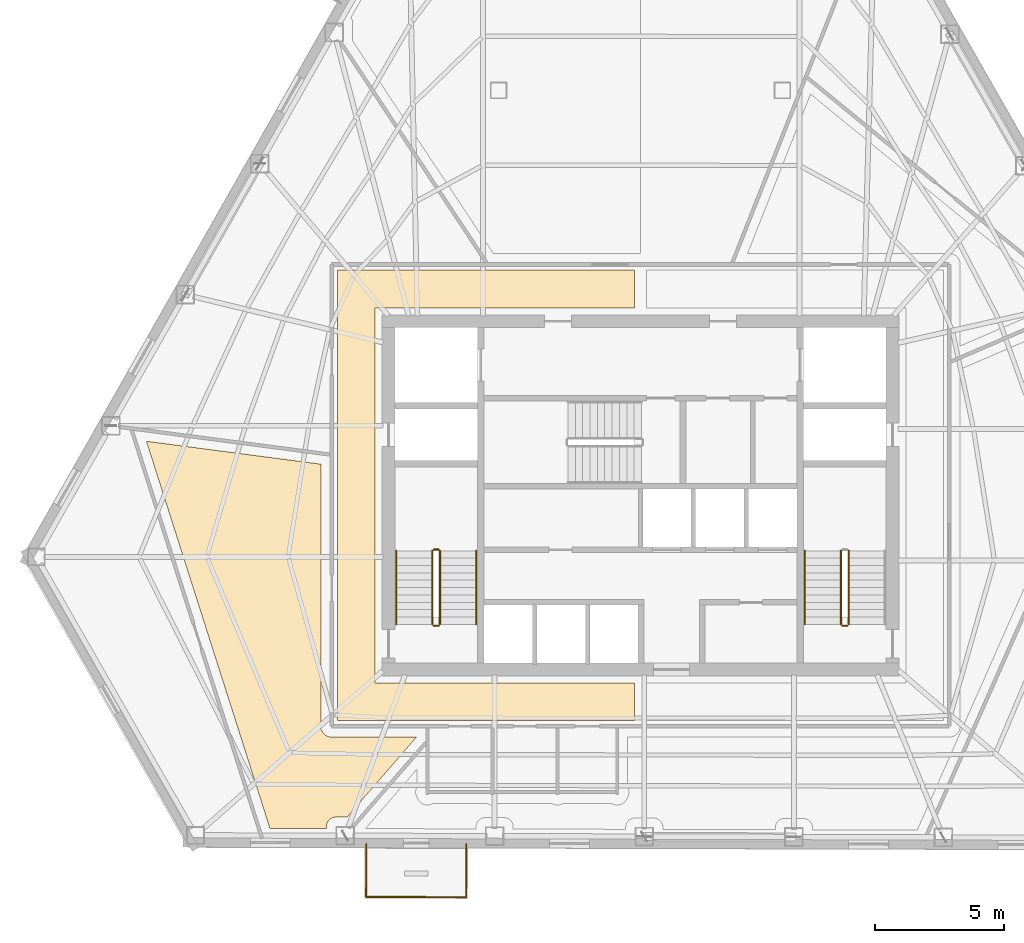
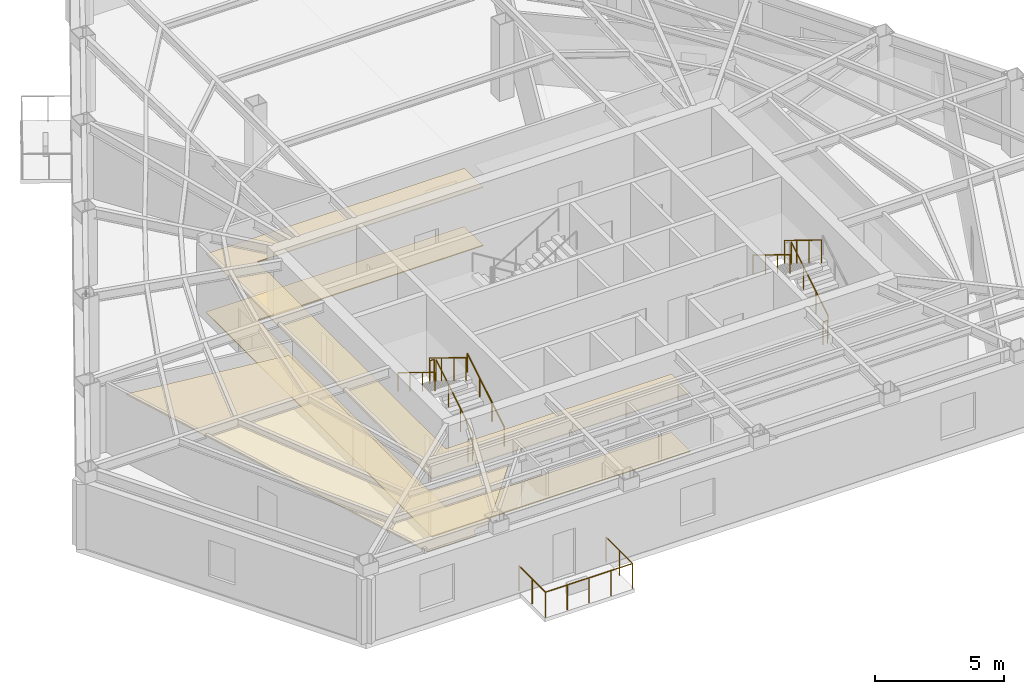
# One storey, part 11 of 13: 13 railings, 3 coverings.
"""IFC4 building model written with IfcOpenShell, lengths in metres."""

from ifc_helpers import new_model, si_unit, direction, frame, origin, origin_2d, place, context, subcontext, project, spatial, polyline, circle, outline, extrude, material, layer, layer_set, type_object, element, save


model = new_model("IFC4")

# Units and contexts
model_context = context("Model", 3, precision=1e-05, world=origin(), true_north=direction((0.0, 1.0)))
body_context = subcontext(model_context, "Body", "Model", "MODEL_VIEW")
ifc_project = project(units=[si_unit("LENGTHUNIT", "METRE"), si_unit("AREAUNIT", "SQUARE_METRE"), si_unit("VOLUMEUNIT", "CUBIC_METRE"), si_unit("PLANEANGLEUNIT", "RADIAN"), si_unit("MASSUNIT", "GRAM", prefix="KILO")], contexts=[model_context])

# Site, building, storey
site_placement = place(None, origin())
site = spatial("IfcSite", under=ifc_project, at=site_placement, CompositionType="ELEMENT")
building_placement = place(site_placement, origin())
building = spatial("IfcBuilding", under=site, at=building_placement, Name="Kavelnor Concourse Tower", CompositionType="ELEMENT")
storey_placement = place(building_placement, frame((0.0, 0.0, 97.050048828125)))
storey = spatial("IfcBuildingStorey", under=building, at=storey_placement, Name="L24", CompositionType="ELEMENT", Elevation=97.050048828125)

# Coverings
ifc_material_1 = material(Name="Mineral fibre acoustic ceiling tile")
ifc_layer_1 = layer(ifc_material_1, 0.0400390625, Name="Mineral fibre acoustic ceiling tile")
ifc_layer_set_1 = layer_set([ifc_layer_1], Name="Mineral fibre acoustic ceiling tile")
covering_type_1 = type_object("IfcCoveringType", Name="COV-CEILING-ACOUSTIC", PredefinedType="CEILING", material=ifc_layer_set_1)
covering_1_placement = place(storey_placement, frame((0.0, 0.0, 2.75)))
element("IfcCovering", 1, at=covering_1_placement, inside=storey, type_object=covering_type_1, Name="L24 Suspended Acoustic Ceiling", PredefinedType="CEILING", context=body_context, shape_type="SweptSolid", body=[
    extrude(outline(polyline([(26.25, 7.3701171875), (26.25, 24.830078125), (37.77490234375, 24.830078125), (37.77490234375, 23.3701171875), (27.7099609375, 23.3701171875), (27.7099609375, 8.830078125), (37.77490234375, 8.830078125), (37.77490234375, 7.3701171875), (26.25, 7.3701171875)])), origin(), (0.0, 0.0, 1.0), 0.0400390625),
])
covering_2_placement = place(storey_placement, frame((0.0, 0.0, 2.75)))
element("IfcCovering", 2, at=covering_2_placement, inside=storey, type_object=covering_type_1, Name="L24 Suspended Acoustic Ceiling", PredefinedType="CEILING", context=body_context, shape_type="SweptSolid", body=[
    extrude(outline(polyline([(25.609130859375, 7.1083984375), (25.615234375, 7.0673828125), (25.625244140625, 7.027099609375), (25.639404296875, 6.98828125), (25.656982421875, 6.95068359375), (25.678466796875, 6.9150390625), (25.703125, 6.881591796875), (25.73095703125, 6.85107421875), (25.76171875, 6.822998046875), (25.794921875, 6.79833984375), (25.83056640625, 6.777099609375), (25.8681640625, 6.75927734375), (25.9072265625, 6.745361328125), (25.947509765625, 6.735107421875), (25.988525390625, 6.72900390625), (26.021728515625, 6.7275390625), (29.317626953125, 6.7275390625), (26.624755859375, 3.624267578125), (26.18115234375, 3.624267578125), (26.154296875, 3.622802734375), (26.119140625, 3.61767578125), (26.0849609375, 3.609130859375), (26.051513671875, 3.59716796875), (26.01953125, 3.58203125), (25.9892578125, 3.56396484375), (25.9609375, 3.542724609375), (25.934814453125, 3.51904296875), (25.910888671875, 3.492919921875), (25.889892578125, 3.46435546875), (25.87158203125, 3.43408203125), (25.8564453125, 3.402099609375), (25.844482421875, 3.368896484375), (25.8359375, 3.33447265625), (25.830810546875, 3.299560546875), (25.82958984375, 3.2724609375), (25.82958984375, 3.186279296875), (23.6357421875, 3.1923828125), (18.847900390625, 18.19677734375), (25.607421875, 17.30908203125), (25.607421875, 7.1416015625), (25.609130859375, 7.1083984375)])), origin(), (0.0, 0.0, 1.0), 0.0400390625),
])
ifc_material_2 = material(Name="Honed bluestone and raised access floor finish", Category="masonry")
ifc_layer_2 = layer(ifc_material_2, 0.0400390625, Name="Honed bluestone and raised access floor finish")
ifc_layer_set_2 = layer_set([ifc_layer_2], Name="Honed bluestone and raised access floor finish")
covering_type_2 = type_object("IfcCoveringType", Name="COV-FLOOR-STONE", PredefinedType="FLOORING", material=ifc_layer_set_2)
covering_3_placement = place(storey_placement, frame((0.0, 0.0, 0.001953125)))
element("IfcCovering", 3, at=covering_3_placement, inside=storey, type_object=covering_type_2, Name="L24 Honed Bluestone Floor Finish", PredefinedType="FLOORING", context=body_context, shape_type="SweptSolid", body=[
    extrude(outline(polyline([(26.25, 7.3701171875), (26.25, 24.830078125), (37.77490234375, 24.830078125), (37.77490234375, 23.3701171875), (27.7099609375, 23.3701171875), (27.7099609375, 8.830078125), (37.77490234375, 8.830078125), (37.77490234375, 7.3701171875), (26.25, 7.3701171875)])), origin(), (0.0, 0.0, 1.0), 0.0400390625),
])

# Railings
ifc_material_3 = material(Name="Steel Grade 350", Category="steel")
railing_type_1 = type_object("IfcRailingType", Name="RLG-GUARD-1100", PredefinedType="GUARDRAIL", material=ifc_material_3)
railing_1_placement = place(storey_placement, frame((30.22998046875, 11.10009765625, 0.175048828125)))
element("IfcRailing", 4, at=railing_1_placement, inside=storey, type_object=railing_type_1, Name="L24 ST1 stair guard 1", PredefinedType="GUARDRAIL", context=body_context, shape_type="SweptSolid", body=[
    extrude(circle(Radius=0.02392578125, at=origin_2d()), frame((0.0, 0.0, 1.076171875), z_axis=(0.0, 0.852159232446, 0.523282564737), x_axis=(-1.0, 0.0, 0.0)), (0.0, 0.0, 1.0), 3.34423828125),
    extrude(circle(Radius=0.02099609375, at=origin_2d()), origin(), (0.0, 0.0, 1.0), 1.052001953125),
    extrude(circle(Radius=0.02099609375, at=origin_2d()), frame((0.0, 0.949951171875, 0.583251953125)), (0.0, 0.0, 1.0), 1.052001953125),
    extrude(circle(Radius=0.02099609375, at=origin_2d()), frame((0.0, 1.89990234375, 1.166748046875)), (0.0, 0.0, 1.0), 1.052001953125),
    extrude(circle(Radius=0.02099609375, at=origin_2d()), frame((0.0, 2.849853515625, 1.75)), (0.0, 0.0, 1.0), 1.052001953125),
])
railing_2_placement = place(storey_placement, frame((30.179931640625, 14.0, 1.925048828125)))
element("IfcRailing", 5, at=railing_2_placement, inside=storey, type_object=railing_type_1, Name="L24 ST1 stair guard 2", PredefinedType="GUARDRAIL", context=body_context, shape_type="SweptSolid", body=[
    extrude(circle(Radius=0.02392578125, at=origin_2d()), frame((0.0, 0.0, 1.076171875), z_axis=(-1.0, 0.0, 0.0), x_axis=(0.0, -1.0, 0.0)), (0.0, 0.0, 1.0), 0.199951171875),
    extrude(circle(Radius=0.02099609375, at=origin_2d()), origin(), (0.0, 0.0, 1.0), 1.052001953125),
    extrude(circle(Radius=0.02099609375, at=origin_2d()), frame((-0.199951171875, 0.0, 0.0)), (0.0, 0.0, 1.0), 1.052001953125),
])
railing_3_placement = place(storey_placement, frame((29.929931640625, 13.949951171875, 2.099853515625)))
element("IfcRailing", 6, at=railing_3_placement, inside=storey, type_object=railing_type_1, Name="L24 ST1 stair guard 3", PredefinedType="GUARDRAIL", context=body_context, shape_type="SweptSolid", body=[
    extrude(circle(Radius=0.02392578125, at=origin_2d()), frame((0.0, 0.0, 1.076171875), z_axis=(0.0, -0.852159232446, 0.523282564737), x_axis=(1.0, 0.0, 0.0)), (0.0, 0.0, 1.0), 3.34423828125),
    extrude(circle(Radius=0.02099609375, at=origin_2d()), origin(), (0.0, 0.0, 1.0), 1.052001953125),
    extrude(circle(Radius=0.02099609375, at=origin_2d()), frame((0.0, -0.949951171875, 0.583251953125)), (0.0, 0.0, 1.0), 1.052001953125),
    extrude(circle(Radius=0.02099609375, at=origin_2d()), frame((0.0, -1.89990234375, 1.166748046875)), (0.0, 0.0, 1.0), 1.052001953125),
    extrude(circle(Radius=0.02099609375, at=origin_2d()), frame((0.0, -2.849853515625, 1.75)), (0.0, 0.0, 1.0), 1.052001953125),
])
railing_4_placement = place(storey_placement, frame((30.179931640625, 11.050048828125, 0.0)))
element("IfcRailing", 7, at=railing_4_placement, inside=storey, type_object=railing_type_1, Name="L24 ST1 stair guard 4", PredefinedType="GUARDRAIL", context=body_context, shape_type="SweptSolid", body=[
    extrude(circle(Radius=0.02392578125, at=origin_2d()), frame((0.0, 0.0, 1.076171875), z_axis=(-1.0, 0.0, 0.0), x_axis=(0.0, -1.0, 0.0)), (0.0, 0.0, 1.0), 0.199951171875),
    extrude(circle(Radius=0.02099609375, at=origin_2d()), origin(), (0.0, 0.0, 1.0), 1.052001953125),
    extrude(circle(Radius=0.02099609375, at=origin_2d()), frame((-0.199951171875, 0.0, 0.0)), (0.0, 0.0, 1.0), 1.052001953125),
])
railing_5_placement = place(storey_placement, frame((46.070068359375, 11.10009765625, 0.175048828125)))
element("IfcRailing", 8, at=railing_5_placement, inside=storey, type_object=railing_type_1, Name="L24 ST2 stair guard 1", PredefinedType="GUARDRAIL", context=body_context, shape_type="SweptSolid", body=[
    extrude(circle(Radius=0.02392578125, at=origin_2d()), frame((0.0, 0.0, 1.076171875), z_axis=(0.0, 0.852159232446, 0.523282564737), x_axis=(-1.0, 0.0, 0.0)), (0.0, 0.0, 1.0), 3.34423828125),
    extrude(circle(Radius=0.02099609375, at=origin_2d()), origin(), (0.0, 0.0, 1.0), 1.052001953125),
    extrude(circle(Radius=0.02099609375, at=origin_2d()), frame((0.0, 0.949951171875, 0.583251953125)), (0.0, 0.0, 1.0), 1.052001953125),
    extrude(circle(Radius=0.02099609375, at=origin_2d()), frame((0.0, 1.89990234375, 1.166748046875)), (0.0, 0.0, 1.0), 1.052001953125),
    extrude(circle(Radius=0.02099609375, at=origin_2d()), frame((0.0, 2.849853515625, 1.75)), (0.0, 0.0, 1.0), 1.052001953125),
])
railing_6_placement = place(storey_placement, frame((45.77001953125, 13.949951171875, 2.099853515625)))
element("IfcRailing", 9, at=railing_6_placement, inside=storey, type_object=railing_type_1, Name="L24 ST2 stair guard 3", PredefinedType="GUARDRAIL", context=body_context, shape_type="SweptSolid", body=[
    extrude(circle(Radius=0.02392578125, at=origin_2d()), frame((0.0, 0.0, 1.076171875), z_axis=(0.0, -0.852159232446, 0.523282564737), x_axis=(1.0, 0.0, 0.0)), (0.0, 0.0, 1.0), 3.34423828125),
    extrude(circle(Radius=0.02099609375, at=origin_2d()), origin(), (0.0, 0.0, 1.0), 1.052001953125),
    extrude(circle(Radius=0.02099609375, at=origin_2d()), frame((0.0, -0.949951171875, 0.583251953125)), (0.0, 0.0, 1.0), 1.052001953125),
    extrude(circle(Radius=0.02099609375, at=origin_2d()), frame((0.0, -1.89990234375, 1.166748046875)), (0.0, 0.0, 1.0), 1.052001953125),
    extrude(circle(Radius=0.02099609375, at=origin_2d()), frame((0.0, -2.849853515625, 1.75)), (0.0, 0.0, 1.0), 1.052001953125),
])
railing_7_placement = place(storey_placement, frame((46.02001953125, 11.050048828125, 0.0)))
element("IfcRailing", 10, at=railing_7_placement, inside=storey, type_object=railing_type_1, Name="L24 ST2 stair guard 4", PredefinedType="GUARDRAIL", context=body_context, shape_type="SweptSolid", body=[
    extrude(circle(Radius=0.02392578125, at=origin_2d()), frame((0.0, 0.0, 1.076171875), z_axis=(-1.0, 0.0, 0.0), x_axis=(0.0, -1.0, 0.0)), (0.0, 0.0, 1.0), 0.199951171875),
    extrude(circle(Radius=0.02099609375, at=origin_2d()), origin(), (0.0, 0.0, 1.0), 1.052001953125),
    extrude(circle(Radius=0.02099609375, at=origin_2d()), frame((-0.199951171875, 0.0, 0.0)), (0.0, 0.0, 1.0), 1.052001953125),
])
railing_type_2 = type_object("IfcRailingType", Name="RLG-HANDRAIL-900", PredefinedType="HANDRAIL", material=ifc_material_3)
railing_8_placement = place(storey_placement, frame((31.6298828125, 11.10009765625, 0.175048828125)))
element("IfcRailing", 11, at=railing_8_placement, inside=storey, type_object=railing_type_2, Name="L24 ST1 stair handrail 1", PredefinedType="HANDRAIL", context=body_context, shape_type="SweptSolid", body=[
    extrude(circle(Radius=0.02392578125, at=origin_2d()), frame((0.0, 0.0, 0.8759765625), z_axis=(0.0, 0.852159232446, 0.523282564737), x_axis=(-1.0, 0.0, 0.0)), (0.0, 0.0, 1.0), 3.34423828125),
    extrude(circle(Radius=0.02099609375, at=origin_2d()), origin(), (0.0, 0.0, 1.0), 0.851806640625),
    extrude(circle(Radius=0.02099609375, at=origin_2d()), frame((0.0, 0.949951171875, 0.583251953125)), (0.0, 0.0, 1.0), 0.851806640625),
    extrude(circle(Radius=0.02099609375, at=origin_2d()), frame((0.0, 1.89990234375, 1.166748046875)), (0.0, 0.0, 1.0), 0.851806640625),
    extrude(circle(Radius=0.02099609375, at=origin_2d()), frame((0.0, 2.849853515625, 1.75)), (0.0, 0.0, 1.0), 0.851806640625),
])
for number, where, name in (
    (12, (28.530029296875, 13.949951171875, 2.099853515625), "L24 ST1 stair handrail 2"),
    (13, (44.3701171875, 13.949951171875, 2.099853515625), "L24 ST2 stair handrail 2"),
):
    element("IfcRailing", number, at=place(storey_placement, frame(where)), inside=storey, type_object=railing_type_2, Name=name, PredefinedType="HANDRAIL", context=body_context, shape_type="SweptSolid", body=[
        extrude(circle(Radius=0.02392578125, at=origin_2d()), frame((0.0, 0.0, 0.8759765625), z_axis=(0.0, -0.852159232446, 0.523282564737), x_axis=(1.0, 0.0, 0.0)), (0.0, 0.0, 1.0), 3.34423828125),
        extrude(circle(Radius=0.02099609375, at=origin_2d()), origin(), (0.0, 0.0, 1.0), 0.851806640625),
        extrude(circle(Radius=0.02099609375, at=origin_2d()), frame((0.0, -0.949951171875, 0.583251953125)), (0.0, 0.0, 1.0), 0.851806640625),
        extrude(circle(Radius=0.02099609375, at=origin_2d()), frame((0.0, -1.89990234375, 1.166748046875)), (0.0, 0.0, 1.0), 0.851806640625),
        extrude(circle(Radius=0.02099609375, at=origin_2d()), frame((0.0, -2.849853515625, 1.75)), (0.0, 0.0, 1.0), 0.851806640625),
    ])
ifc_material_4 = material(Name="Architectural bronze-anodised aluminium", Category="aluminium")
railing_type_3 = type_object("IfcRailingType", Name="RLG-TERRACE-1200", PredefinedType="BALUSTRADE", material=ifc_material_4)
railing_9_placement = place(storey_placement, frame((27.369873046875, 2.581787109375, 0.0)))
element("IfcRailing", 14, at=railing_9_placement, inside=storey, type_object=railing_type_3, Name="L24 Tree Balcony 2 Guardrail L", PredefinedType="BALUSTRADE", context=body_context, shape_type="SweptSolid", body=[
    extrude(circle(Radius=0.02392578125, at=origin_2d()), frame((0.0, 0.0, 1.17578125), z_axis=(-0.002739389436, -0.999996247866, 0.0), x_axis=(0.999996247866, -0.002739389436, 0.0)), (0.0, 0.0, 1.0), 2.0498046875),
    extrude(circle(Radius=0.02099609375, at=origin_2d()), origin(), (0.0, 0.0, 1.0), 1.15185546875),
    extrude(circle(Radius=0.02099609375, at=origin_2d()), frame((-0.0029296875, -1.02490234375, 0.0)), (0.0, 0.0, 1.0), 1.15185546875),
    extrude(circle(Radius=0.02099609375, at=origin_2d()), frame((-0.005615234375, -2.0498046875, 0.0)), (0.0, 0.0, 1.0), 1.15185546875),
])
railing_10_placement = place(storey_placement, frame((27.3642578125, 0.531982421875, 0.0)))
element("IfcRailing", 15, at=railing_10_placement, inside=storey, type_object=railing_type_3, Name="L24 Tree Balcony 2 Guardrail F", PredefinedType="BALUSTRADE", context=body_context, shape_type="SweptSolid", body=[
    extrude(circle(Radius=0.02392578125, at=origin_2d()), frame((0.0, 0.0, 1.17578125), z_axis=(0.999996167204, -0.002768678037, 0.0), x_axis=(0.002768678037, 0.999996167204, 0.0)), (0.0, 0.0, 1.0), 3.8798828125),
    extrude(circle(Radius=0.02099609375, at=origin_2d()), origin(), (0.0, 0.0, 1.0), 1.15185546875),
    extrude(circle(Radius=0.02099609375, at=origin_2d()), frame((0.969970703125, -0.002685546875, 0.0)), (0.0, 0.0, 1.0), 1.15185546875),
    extrude(circle(Radius=0.02099609375, at=origin_2d()), frame((1.93994140625, -0.00537109375, 0.0)), (0.0, 0.0, 1.0), 1.15185546875),
    extrude(circle(Radius=0.02099609375, at=origin_2d()), frame((2.909912109375, -0.008056640625, 0.0)), (0.0, 0.0, 1.0), 1.15185546875),
    extrude(circle(Radius=0.02099609375, at=origin_2d()), frame((3.8798828125, -0.0107421875, 0.0)), (0.0, 0.0, 1.0), 1.15185546875),
])
railing_11_placement = place(storey_placement, frame((31.244140625, 0.521240234375, 0.0)))
element("IfcRailing", 16, at=railing_11_placement, inside=storey, type_object=railing_type_3, Name="L24 Tree Balcony 2 Guardrail R", PredefinedType="BALUSTRADE", context=body_context, shape_type="SweptSolid", body=[
    extrude(circle(Radius=0.02392578125, at=origin_2d()), frame((0.0, 0.0, 1.17578125), z_axis=(0.002739063204, 0.999996248759, 0.0), x_axis=(-0.999996248759, 0.002739063204, 0.0)), (0.0, 0.0, 1.0), 2.050048828125),
    extrude(circle(Radius=0.02099609375, at=origin_2d()), origin(), (0.0, 0.0, 1.0), 1.15185546875),
    extrude(circle(Radius=0.02099609375, at=origin_2d()), frame((0.0029296875, 1.02490234375, 0.0)), (0.0, 0.0, 1.0), 1.15185546875),
    extrude(circle(Radius=0.02099609375, at=origin_2d()), frame((0.005615234375, 2.050048828125, 0.0)), (0.0, 0.0, 1.0), 1.15185546875),
])

save(model, "model.ifc")
